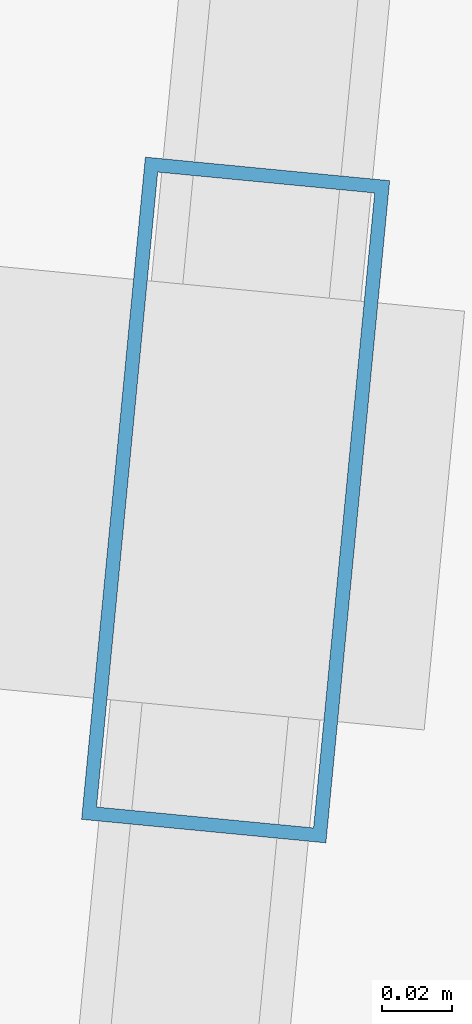
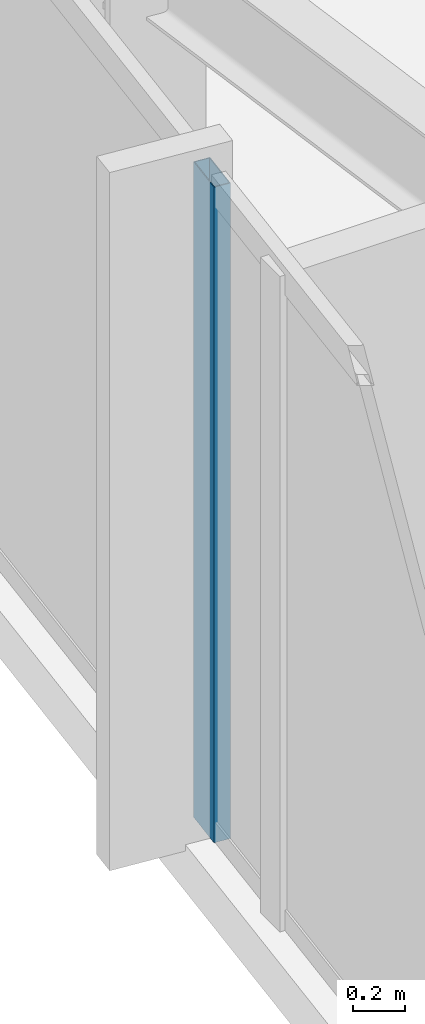
# One storey, part 4 of 37: 1 member, 1 element without a shape of its own.
"""IFC4 building model written with IfcOpenShell, lengths in metres."""

from ifc_helpers import new_model, si_unit, direction, frame, origin, origin_2d, place, context, subcontext, project, spatial, hollow_rectangle, extrude, material, material_profile, profile_set, type_object, element, aggregate, save


model = new_model("IFC4")

# Units and contexts
model_context = context("Model", 3, precision=1e-05, world=origin(), true_north=direction((0.0, 1.0)))
body_context = subcontext(model_context, "Body", "Model", "MODEL_VIEW")
ifc_project = project(units=[si_unit("LENGTHUNIT", "METRE"), si_unit("AREAUNIT", "SQUARE_METRE"), si_unit("VOLUMEUNIT", "CUBIC_METRE"), si_unit("PLANEANGLEUNIT", "RADIAN"), si_unit("MASSUNIT", "GRAM", prefix="KILO")], contexts=[model_context])

# Site, building, storey
site_placement = place(None, origin())
site = spatial("IfcSite", under=ifc_project, at=site_placement, CompositionType="ELEMENT")
building_placement = place(site_placement, origin())
building = spatial("IfcBuilding", under=site, at=building_placement, Name="Yelkora Congress Tower", CompositionType="ELEMENT")
storey_placement = place(building_placement, frame((0.0, 0.0, 168.800048828125)))
storey = spatial("IfcBuildingStorey", under=building, at=storey_placement, Name="L46", CompositionType="ELEMENT", Elevation=168.800048828125)

# Curtain wall, member
ifc_material_1 = material(Name="Anodised aluminium and insulated glass", Category="aluminium")
curtain_wall_type = type_object("IfcCurtainWallType", Name="CW-SYS-B3", PredefinedType="NOTDEFINED", material=ifc_material_1)
curtain_wall_placement = place(storey_placement, origin())
curtain_wall = element("IfcCurtainWall", 1, at=curtain_wall_placement, inside=storey, type_object=curtain_wall_type, Name="L46 Unitised Curtain Wall 5", PredefinedType="NOTDEFINED")
ifc_material_2 = material(Name="Anodised aluminium 6063-T6", Category="aluminium")
ifc_material_profile = material_profile(ifc_material_2, hollow_rectangle(XDim=0.070068359375, YDim=0.18994140625, WallThickness=0.00390625, at=origin_2d()), Name="ALU 70x190x4")
ifc_profile_set = profile_set([ifc_material_profile], Name="Anodised aluminium 6063-T6")
member_type = type_object("IfcMemberType", Name="MEM-ML-B3", PredefinedType="MULLION", material=ifc_profile_set)
member_placement = place(storey_placement, frame((1.9248046875, 22.962158203125, 0.0), z_axis=(0.0, 0.0, 1.0), x_axis=(-0.995396242473, 0.095845294465, 0.0)))
member = element("IfcMember", 2, at=member_placement, type_object=member_type, Name="CW-B3 mullion 2", PredefinedType="MULLION", context=body_context, shape_type="SweptSolid", body=[
    extrude(hollow_rectangle(XDim=0.070068359375, YDim=0.18994140625, WallThickness=0.00390625, at=origin_2d()), origin(), (0.0, 0.0, 1.0), 3.079833984375),
])
aggregate(curtain_wall, [member])

save(model, "model.ifc")
